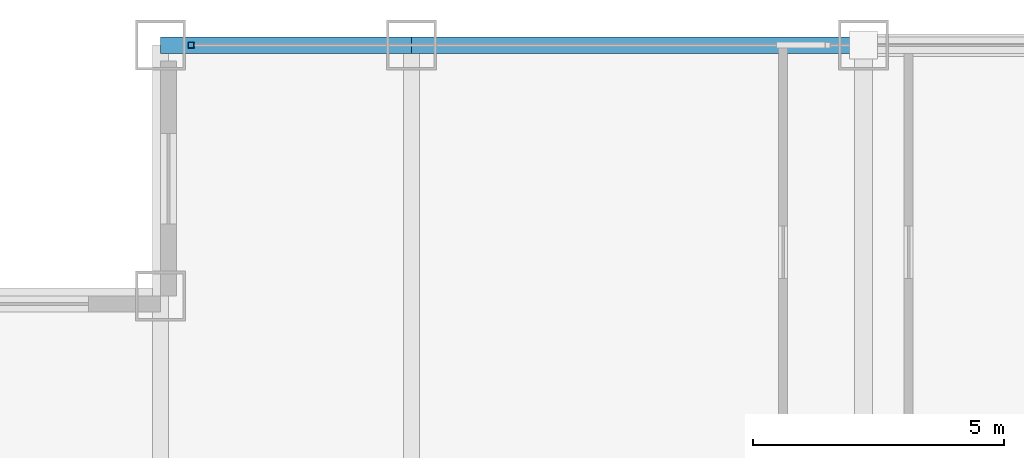
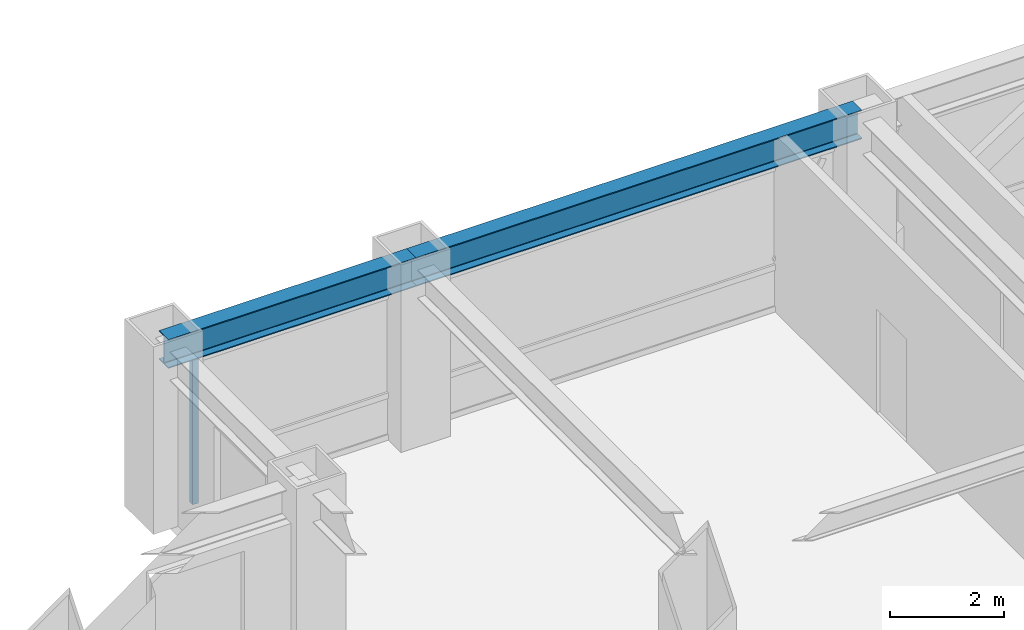
# One storey, part 14 of 24: 2 beams, 1 member, 1 element without a shape of its own.
"""IFC4 building model written with IfcOpenShell, lengths in metres."""

from ifc_helpers import new_model, si_unit, direction, frame, origin, origin_2d, place, context, subcontext, project, spatial, hollow_rectangle, i_section, extrude, source, transform, mapped, material, material_profile, profile_set, type_object, element, aggregate, save


model = new_model("IFC4")

# Units and contexts
model_context = context("Model", 3, precision=1e-05, world=origin(), true_north=direction((0.0, 1.0)))
body_context = subcontext(model_context, "Body", "Model", "MODEL_VIEW")
ifc_project = project(units=[si_unit("LENGTHUNIT", "METRE"), si_unit("AREAUNIT", "SQUARE_METRE"), si_unit("VOLUMEUNIT", "CUBIC_METRE"), si_unit("PLANEANGLEUNIT", "RADIAN"), si_unit("MASSUNIT", "GRAM", prefix="KILO")], contexts=[model_context])

# Site, building, storey
site_placement = place(None, origin())
site = spatial("IfcSite", under=ifc_project, at=site_placement, CompositionType="ELEMENT")
building_placement = place(site_placement, origin())
building = spatial("IfcBuilding", under=site, at=building_placement, Name="Khorayat Bourse Tower", CompositionType="ELEMENT")
storey_placement = place(building_placement, frame((0.0, 0.0, 211.10009765625)))
storey = spatial("IfcBuildingStorey", under=building, at=storey_placement, Name="L49", CompositionType="ELEMENT", Elevation=211.10009765625)

# Beams
ifc_material_1 = material(Name="Steel ASTM A992 Grade 50", Category="steel")
ifc_material_profile_1 = material_profile(ifc_material_1, i_section(OverallWidth=0.324951171875, OverallDepth=0.615966796875, WebThickness=0.013916015625, FlangeThickness=0.021484375, FilletRadius=0.01611328125, at=origin_2d()), Name="W610X174")
ifc_profile_set_1 = profile_set([ifc_material_profile_1], Name="Steel ASTM A992 Grade 50")
beam_type = type_object("IfcBeamType", Name="BM-SPAN-610", PredefinedType="SPANDREL", material=ifc_profile_set_1)
shared_shape_1 = source(origin(), body_context, "Body", "SweptSolid", [
    extrude(i_section(OverallWidth=0.324951171875, OverallDepth=0.615966796875, WebThickness=0.013916015625, FlangeThickness=0.021484375, FilletRadius=0.01611328125, at=origin_2d()), origin(), (0.0, 0.0, 1.0), 9.0),
])
beam_1_placement = place(storey_placement, frame((-20.0, 30.0, 3.471923828125), z_axis=(1.0, 0.0, 0.0), x_axis=(0.0, 1.0, 0.0)))
element("IfcBeam", 1, at=beam_1_placement, inside=storey, type_object=beam_type, Name="L49 BM-SPAN-610 BM-L49-SPN-050", PredefinedType="SPANDREL", context=body_context, shape_type="MappedRepresentation", body=[
    mapped(shared_shape_1, transform((0.0, 0.0, 0.0), scale=1.0)),
])
shared_shape_2 = source(origin(), body_context, "Body", "SweptSolid", [
    extrude(i_section(OverallWidth=0.324951171875, OverallDepth=0.615966796875, WebThickness=0.013916015625, FlangeThickness=0.021484375, FilletRadius=0.01611328125, at=origin_2d()), origin(), (0.0, 0.0, 1.0), 5.0),
])
beam_2_placement = place(storey_placement, frame((-25.0, 30.0, 3.471923828125), z_axis=(1.0, 0.0, 0.0), x_axis=(0.0, 1.0, 0.0)))
element("IfcBeam", 2, at=beam_2_placement, inside=storey, type_object=beam_type, Name="L49 BM-SPAN-610 BM-L49-SPN-051", PredefinedType="SPANDREL", context=body_context, shape_type="MappedRepresentation", body=[
    mapped(shared_shape_2, transform((0.0, 0.0, 0.0), scale=1.0)),
])

# Curtain wall, member
ifc_material_2 = material(Name="Aluminium EN AW-6063 T6", Category="aluminium")
curtain_wall_type = type_object("IfcCurtainWallType", Name="CW-SYS-03", PredefinedType="NOTDEFINED", material=ifc_material_2)
curtain_wall_placement = place(storey_placement, origin())
curtain_wall = element("IfcCurtainWall", 3, at=curtain_wall_placement, inside=storey, type_object=curtain_wall_type, Name="L49 Curtain Wall CW-L49-N1", PredefinedType="NOTDEFINED")
ifc_material_profile_2 = material_profile(ifc_material_2, hollow_rectangle(XDim=0.1201171875, YDim=0.1201171875, WallThickness=0.0048828125, at=origin_2d()), Name="ALU 120x120x5")
ifc_profile_set_2 = profile_set([ifc_material_profile_2], Name="Aluminium EN AW-6063 T6")
member_type = type_object("IfcMemberType", Name="CWM-VERT-120", PredefinedType="MULLION", material=ifc_profile_set_2)
shared_shape_3 = source(origin(), body_context, "Body", "SweptSolid", [
    extrude(hollow_rectangle(XDim=0.1201171875, YDim=0.1201171875, WallThickness=0.0048828125, at=origin_2d()), origin(), (0.0, 0.0, 1.0), 3.1298828125),
])
member_placement = place(storey_placement, frame((-24.389892578125, 30.0, 0.0), z_axis=(0.0, 0.0, 1.0), x_axis=(0.0, 1.0, 0.0)))
member = element("IfcMember", 4, at=member_placement, type_object=member_type, Name="CW-L49-N1 Vertical Mullion 1", PredefinedType="MULLION", context=body_context, shape_type="MappedRepresentation", body=[
    mapped(shared_shape_3, transform((0.0, 0.0, 0.0), scale=1.0)),
])
aggregate(curtain_wall, [member])

save(model, "model.ifc")
